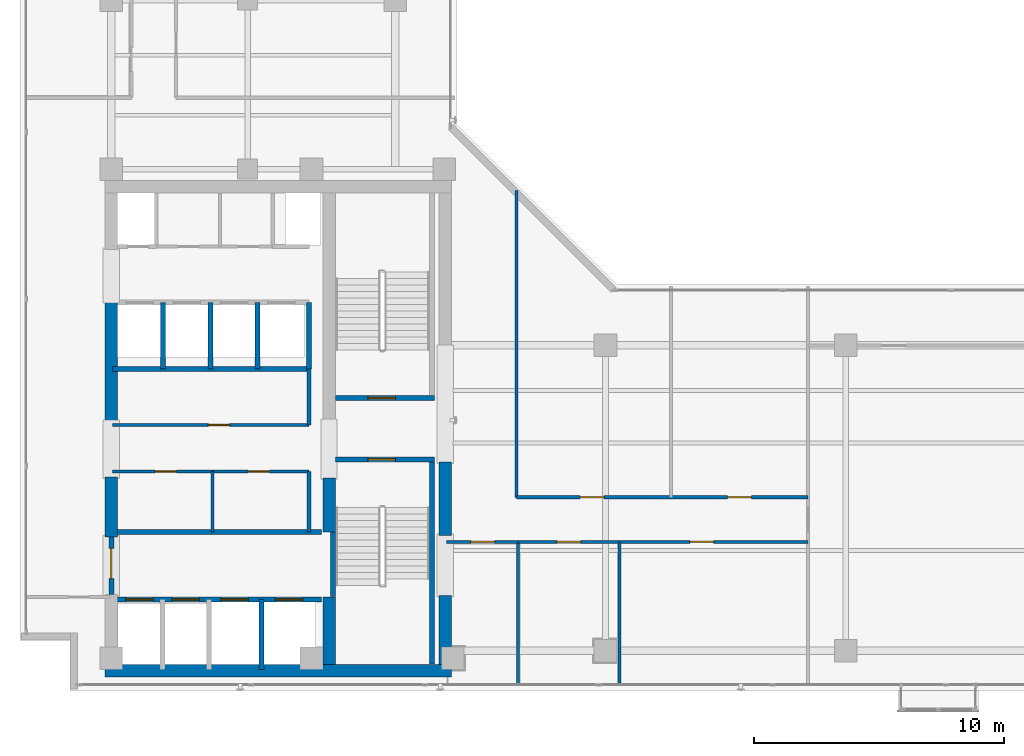
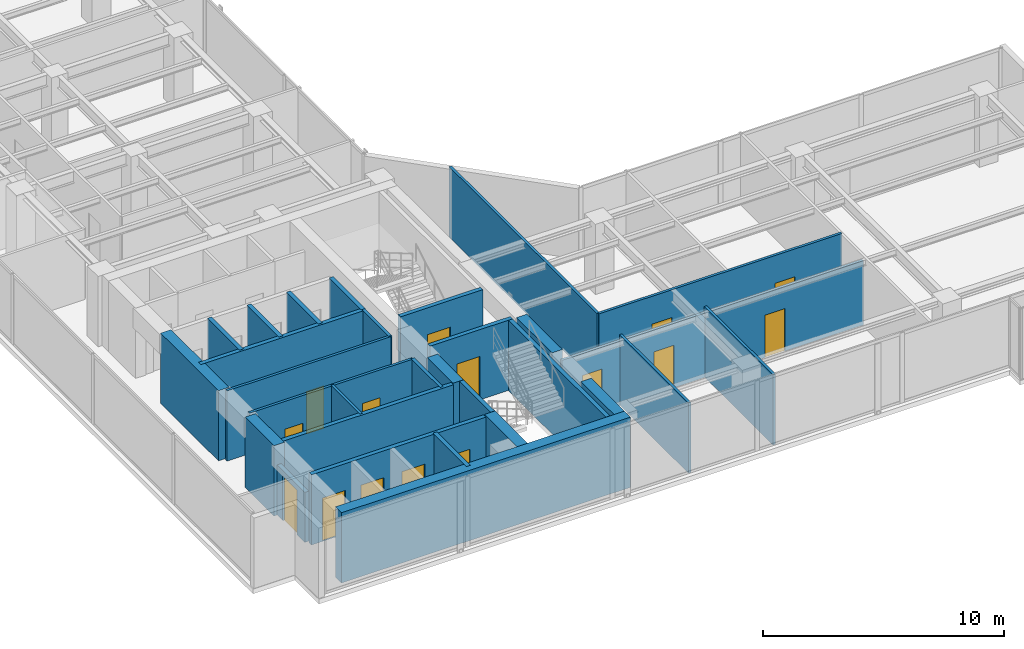
# One storey, part 16 of 23: 31 walls, 15 doors, 15 openings.
"""IFC4 building model written with IfcOpenShell, lengths in metres."""

from ifc_helpers import new_model, si_unit, direction, frame, frame_2d, origin, place, context, subcontext, project, spatial, rectangle, extrude, material, layer, layer_set, type_object, element, fill, save


model = new_model("IFC4")

# Units and contexts
model_context = context("Model", 3, precision=1e-05, world=origin(), true_north=direction((0.0, 1.0)))
body_context = subcontext(model_context, "Body", "Model", "MODEL_VIEW")
ifc_project = project(units=[si_unit("LENGTHUNIT", "METRE"), si_unit("AREAUNIT", "SQUARE_METRE"), si_unit("VOLUMEUNIT", "CUBIC_METRE"), si_unit("PLANEANGLEUNIT", "RADIAN"), si_unit("MASSUNIT", "GRAM", prefix="KILO")], contexts=[model_context])

# Site, building, storey
site_placement = place(None, origin())
site = spatial("IfcSite", under=ifc_project, at=site_placement, CompositionType="ELEMENT")
building_placement = place(site_placement, origin())
building = spatial("IfcBuilding", under=site, at=building_placement, Name="Kolvaren Waterfront Exchange", CompositionType="ELEMENT")
storey_placement = place(building_placement, frame((0.0, 0.0, 319.800048828125)))
storey = spatial("IfcBuildingStorey", under=building, at=storey_placement, Name="L82", CompositionType="ELEMENT", Elevation=319.800048828125)

# Wall, opening, door
ifc_material_1 = material(Name="Precast concrete C40/50", Category="concrete")
ifc_layer_1 = layer(ifc_material_1, 0.199951171875, Name="Precast concrete C40/50")
ifc_layer_set_1 = layer_set([ifc_layer_1], Name="Precast concrete C40/50")
wall_type_1 = type_object("IfcWallType", Name="ARC-FIRE-200", PredefinedType="PARTITIONING", material=ifc_layer_set_1)
wall_1_placement = place(storey_placement, frame((16.39990234375, 12.85009765625, 0.0), z_axis=(0.0, 0.0, 1.0), x_axis=(1.0, 0.0, 0.0)))
wall_1 = element("IfcWall", 1, at=wall_1_placement, inside=storey, type_object=wall_type_1, Name="L82 interior wall PW-L82-ST1-THROAT-S", PredefinedType="PARTITIONING", context=body_context, shape_type="SweptSolid", body=[
    extrude(rectangle(XDim=3.960205078125, YDim=0.199951171875, at=frame_2d((1.97998046875, 0.0))), origin(), (0.0, 0.0, 1.0), 3.56005859375),
])
opening_1_placement = place(wall_1_placement, frame((1.3037109375, 0.0, 0.0)))
opening_1 = element("IfcOpeningElement", 2, at=opening_1_placement, cuts=wall_1, Name="Opening FD2", PredefinedType="OPENING", context=body_context, shape_type="SweptSolid", body=[
    extrude(rectangle(XDim=1.10009765625, YDim=2.199951171875, at=frame_2d((0.550048828125, 1.10009765625))), frame((0.0, 0.10986328125, 0.0), z_axis=(0.0, -1.0, 0.0), x_axis=(1.0, 0.0, 0.0)), (0.0, 0.0, 1.0), 0.219970703125),
])
ifc_material_2 = material(Name="Pressed steel smoke-seal fire door", Category="steel")
door_type_1 = type_object("IfcDoorType", Name="ARC-FD-1100", OperationType="NOTDEFINED", PredefinedType="DOOR", material=ifc_material_2)
door_1_placement = place(opening_1_placement, frame((1.10009765625, 0.0, 0.0), z_axis=(0.0, 0.0, 1.0), x_axis=(-1.0, 0.0, 0.0)))
door_1 = element("IfcDoor", 3, at=door_1_placement, inside=storey, type_object=door_type_1, Name="L82 door DR-L82-ST1-IN (FD2)", OperationType="SINGLE_SWING_LEFT", OverallHeight=2.199951171875, OverallWidth=1.10009765625, PredefinedType="DOOR", context=body_context, shape_type="SweptSolid", body=[
    extrude(rectangle(XDim=1.10009765625, YDim=2.199951171875, at=frame_2d((0.550048828125, 1.10009765625))), frame((0.0, 0.02490234375, 0.0), z_axis=(0.0, -1.0, 0.0), x_axis=(1.0, 0.0, 0.0)), (0.0, 0.0, 1.0), 0.050048828125),
])
fill(opening_1, door_1)

wall_2_placement = place(storey_placement, frame((16.409912109375, 15.300048828125, 0.0), z_axis=(0.0, 0.0, 1.0), x_axis=(1.0, 0.0, 0.0)))
wall_2 = element("IfcWall", 4, at=wall_2_placement, inside=storey, type_object=wall_type_1, Name="L82 interior wall PW-L82-ST2-THROAT-N", PredefinedType="PARTITIONING", context=body_context, shape_type="SweptSolid", body=[
    extrude(rectangle(XDim=3.9501953125, YDim=0.199951171875, at=frame_2d((1.97509765625, 0.0))), origin(), (0.0, 0.0, 1.0), 3.56005859375),
])
opening_2_placement = place(wall_2_placement, frame((1.293701171875, 0.0, 0.0)))
opening_2 = element("IfcOpeningElement", 5, at=opening_2_placement, cuts=wall_2, Name="Opening FD2", PredefinedType="OPENING", context=body_context, shape_type="SweptSolid", body=[
    extrude(rectangle(XDim=1.10009765625, YDim=2.199951171875, at=frame_2d((0.550048828125, 1.10009765625))), frame((0.0, 0.10986328125, 0.0), z_axis=(0.0, -1.0, 0.0), x_axis=(1.0, 0.0, 0.0)), (0.0, 0.0, 1.0), 0.219970703125),
])
door_2_placement = place(opening_2_placement, origin())
door_2 = element("IfcDoor", 6, at=door_2_placement, inside=storey, type_object=door_type_1, Name="L82 door DR-L82-ST2-IN (FD2)", OperationType="SINGLE_SWING_RIGHT", OverallHeight=2.199951171875, OverallWidth=1.10009765625, PredefinedType="DOOR", context=body_context, shape_type="SweptSolid", body=[
    extrude(rectangle(XDim=1.10009765625, YDim=2.199951171875, at=frame_2d((0.550048828125, 1.10009765625))), frame((0.0, 0.02490234375, 0.0), z_axis=(0.0, -1.0, 0.0), x_axis=(1.0, 0.0, 0.0)), (0.0, 0.0, 1.0), 0.050048828125),
])
fill(opening_2, door_2)

# Wall
wall_3_placement = place(storey_placement, frame((7.5, 9.949951171875, 0.0), z_axis=(0.0, 0.0, 1.0), x_axis=(1.0, 0.0, 0.0)))
element("IfcWall", 7, at=wall_3_placement, inside=storey, type_object=wall_type_1, Name="L82 interior wall PW-L82-FF-N", PredefinedType="PARTITIONING", context=body_context, shape_type="SweptSolid", body=[
    extrude(rectangle(XDim=8.35009765625, YDim=0.199951171875, at=frame_2d((4.175048828125, 0.0))), origin(), (0.0, 0.0, 1.0), 3.56005859375),
])

# Wall, opening, door
wall_4_placement = place(storey_placement, frame((7.449951171875, 7.449951171875, 0.0), z_axis=(0.0, 0.0, 1.0), x_axis=(0.0, 1.0, 0.0)))
wall_4 = element("IfcWall", 8, at=wall_4_placement, inside=storey, type_object=wall_type_1, Name="L82 interior wall PW-L82-FF-W-DOOR", PredefinedType="PARTITIONING", context=body_context, shape_type="SweptSolid", body=[
    extrude(rectangle(XDim=2.300048828125, YDim=0.199951171875, at=frame_2d((1.14990234375, 0.0))), origin(), (0.0, 0.0, 1.0), 2.5400390625),
])
opening_3_placement = place(wall_4_placement, frame((0.63330078125, 0.0, 0.0)))
opening_3 = element("IfcOpeningElement", 9, at=opening_3_placement, cuts=wall_4, Name="Opening FD3", PredefinedType="OPENING", context=body_context, shape_type="SweptSolid", body=[
    extrude(rectangle(XDim=1.199951171875, YDim=2.25, at=frame_2d((0.60009765625, 1.125))), frame((0.0, 0.10986328125, 0.0), z_axis=(0.0, -1.0, 0.0), x_axis=(1.0, 0.0, 0.0)), (0.0, 0.0, 1.0), 0.219970703125),
])
ifc_material_3 = material(Name="Pressed steel fire door", Category="steel")
door_type_2 = type_object("IfcDoorType", Name="ARC-FD-1200", OperationType="NOTDEFINED", PredefinedType="DOOR", material=ifc_material_3)
door_3_placement = place(opening_3_placement, frame((1.199951171875, 0.0, 0.0), z_axis=(0.0, 0.0, 1.0), x_axis=(-1.0, 0.0, 0.0)))
door_3 = element("IfcDoor", 10, at=door_3_placement, inside=storey, type_object=door_type_2, Name="L82 door DR-L82-FF-OUT (FD3)", OperationType="SINGLE_SWING_LEFT", OverallHeight=2.25, OverallWidth=1.199951171875, PredefinedType="DOOR", context=body_context, shape_type="SweptSolid", body=[
    extrude(rectangle(XDim=1.199951171875, YDim=2.25, at=frame_2d((0.60009765625, 1.125))), frame((0.0, 0.02490234375, 0.0), z_axis=(0.0, -1.0, 0.0), x_axis=(1.0, 0.0, 0.0)), (0.0, 0.0, 1.0), 0.050048828125),
])
fill(opening_3, door_3)

# Wall, openings, doors
ifc_material_4 = material(Name="Acoustic gypsum steel stud", Category="steel")
ifc_layer_2 = layer(ifc_material_4, 0.125, Name="Acoustic gypsum steel stud")
ifc_layer_set_2 = layer_set([ifc_layer_2], Name="Acoustic gypsum steel stud")
wall_type_2 = type_object("IfcWallType", Name="ARC-PART-125", PredefinedType="PARTITIONING", material=ifc_layer_set_2)
wall_5_placement = place(storey_placement, frame((7.5, 12.360107421875, 0.0), z_axis=(0.0, 0.0, 1.0), x_axis=(1.0, 0.0, 0.0)))
wall_5 = element("IfcWall", 11, at=wall_5_placement, inside=storey, type_object=wall_type_2, Name="L82 interior wall PW-L82-REC-HI-S", PredefinedType="PARTITIONING", context=body_context, shape_type="SweptSolid", body=[
    extrude(rectangle(XDim=7.85009765625, YDim=0.125, at=frame_2d((3.925048828125, 0.0))), origin(), (0.0, 0.0, 1.0), 3.56005859375),
])
opening_4_placement = place(wall_5_placement, frame((1.699951171875, 0.0, 0.0)))
opening_4 = element("IfcOpeningElement", 12, at=opening_4_placement, cuts=wall_5, Name="Opening D01", PredefinedType="OPENING", context=body_context, shape_type="SweptSolid", body=[
    extrude(rectangle(XDim=0.85009765625, YDim=2.14990234375, at=frame_2d((0.425048828125, 1.074951171875))), frame((0.0, 0.072509765625, 0.0), z_axis=(0.0, -1.0, 0.0), x_axis=(1.0, 0.0, 0.0)), (0.0, 0.0, 1.0), 0.14501953125),
])
opening_5_placement = place(wall_5_placement, frame((5.41259765625, 0.0, 0.0)))
opening_5 = element("IfcOpeningElement", 13, at=opening_5_placement, cuts=wall_5, Name="Opening D01", PredefinedType="OPENING", context=body_context, shape_type="SweptSolid", body=[
    extrude(rectangle(XDim=0.85009765625, YDim=2.14990234375, at=frame_2d((0.425048828125, 1.074951171875))), frame((0.0, 0.072509765625, 0.0), z_axis=(0.0, -1.0, 0.0), x_axis=(1.0, 0.0, 0.0)), (0.0, 0.0, 1.0), 0.14501953125),
])
ifc_material_5 = material(Name="Oak veneer timber leaf", Category="wood")
door_type_3 = type_object("IfcDoorType", Name="ARC-DR-900", OperationType="NOTDEFINED", PredefinedType="DOOR", material=ifc_material_5)
door_4_placement = place(opening_4_placement, origin())
door_4 = element("IfcDoor", 14, at=door_4_placement, inside=storey, type_object=door_type_3, Name="L82 door DR-L82-REC-HI-D1 (D01)", OperationType="SINGLE_SWING_RIGHT", OverallHeight=2.14990234375, OverallWidth=0.85009765625, PredefinedType="DOOR", context=body_context, shape_type="SweptSolid", body=[
    extrude(rectangle(XDim=0.85009765625, YDim=2.14990234375, at=frame_2d((0.425048828125, 1.074951171875))), frame((0.0, 0.02490234375, 0.0), z_axis=(0.0, -1.0, 0.0), x_axis=(1.0, 0.0, 0.0)), (0.0, 0.0, 1.0), 0.050048828125),
])
fill(opening_4, door_4)
door_5_placement = place(opening_5_placement, origin())
door_5 = element("IfcDoor", 15, at=door_5_placement, inside=storey, type_object=door_type_3, Name="L82 door DR-L82-REC-HI-D2 (D01)", OperationType="SINGLE_SWING_LEFT", OverallHeight=2.14990234375, OverallWidth=0.85009765625, PredefinedType="DOOR", context=body_context, shape_type="SweptSolid", body=[
    extrude(rectangle(XDim=0.85009765625, YDim=2.14990234375, at=frame_2d((0.425048828125, 1.074951171875))), frame((0.0, 0.02490234375, 0.0), z_axis=(0.0, -1.0, 0.0), x_axis=(1.0, 0.0, 0.0)), (0.0, 0.0, 1.0), 0.050048828125),
])
fill(opening_5, door_5)

# Wall, opening, door
wall_6_placement = place(storey_placement, frame((7.5, 14.219970703125, 0.0), z_axis=(0.0, 0.0, 1.0), x_axis=(1.0, 0.0, 0.0)))
wall_6 = element("IfcWall", 16, at=wall_6_placement, inside=storey, type_object=wall_type_2, Name="L82 interior wall PW-L82-REC-HI-N", PredefinedType="PARTITIONING", context=body_context, shape_type="SweptSolid", body=[
    extrude(rectangle(XDim=7.85009765625, YDim=0.125, at=frame_2d((3.925048828125, 0.0))), origin(), (0.0, 0.0, 1.0), 3.56005859375),
])
opening_6_placement = place(wall_6_placement, frame((3.824951171875, 0.0, 0.0)))
opening_6 = element("IfcOpeningElement", 17, at=opening_6_placement, cuts=wall_6, Name="Opening D01", PredefinedType="OPENING", context=body_context, shape_type="SweptSolid", body=[
    extrude(rectangle(XDim=0.85009765625, YDim=2.14990234375, at=frame_2d((0.425048828125, 1.074951171875))), frame((0.0, 0.072509765625, 0.0), z_axis=(0.0, -1.0, 0.0), x_axis=(1.0, 0.0, 0.0)), (0.0, 0.0, 1.0), 0.14501953125),
])
door_6_placement = place(opening_6_placement, origin())
door_6 = element("IfcDoor", 18, at=door_6_placement, inside=storey, type_object=door_type_3, Name="L82 door DR-L82-REC-HI-D3 (D01)", OperationType="SINGLE_SWING_RIGHT", OverallHeight=2.14990234375, OverallWidth=0.85009765625, PredefinedType="DOOR", context=body_context, shape_type="SweptSolid", body=[
    extrude(rectangle(XDim=0.85009765625, YDim=2.14990234375, at=frame_2d((0.425048828125, 1.074951171875))), frame((0.0, 0.02490234375, 0.0), z_axis=(0.0, -1.0, 0.0), x_axis=(1.0, 0.0, 0.0)), (0.0, 0.0, 1.0), 0.050048828125),
])
fill(opening_6, door_6)

# Wall
wall_7_placement = place(storey_placement, frame((11.5, 9.949951171875, 0.0), z_axis=(0.0, 0.0, 1.0), x_axis=(0.0, 1.0, 0.0)))
element("IfcWall", 19, at=wall_7_placement, inside=storey, type_object=wall_type_2, Name="L82 interior wall PW-L82-REC-HI-MS1", PredefinedType="PARTITIONING", context=body_context, shape_type="SweptSolid", body=[
    extrude(rectangle(XDim=2.41015625, YDim=0.125, at=frame_2d((1.205078125, 0.0))), origin(), (0.0, 0.0, 1.0), 3.56005859375),
])

# Wall, opening, door
wall_8_placement = place(storey_placement, frame((20.85009765625, 9.550048828125, 0.0), z_axis=(0.0, 0.0, 1.0), x_axis=(1.0, 0.0, 0.0)))
wall_8 = element("IfcWall", 20, at=wall_8_placement, inside=storey, type_object=wall_type_2, Name="L82 interior wall PW-L82-SWST3-N", PredefinedType="PARTITIONING", context=body_context, shape_type="SweptSolid", body=[
    extrude(rectangle(XDim=2.849853515625, YDim=0.125, at=frame_2d((1.4248046875, 0.0))), origin(), (0.0, 0.0, 1.0), 3.260009765625),
])
opening_7_placement = place(wall_8_placement, frame((0.971435546875, 0.0, 0.0)))
opening_7 = element("IfcOpeningElement", 21, at=opening_7_placement, cuts=wall_8, Name="Opening D02", PredefinedType="OPENING", context=body_context, shape_type="SweptSolid", body=[
    extrude(rectangle(XDim=0.949951171875, YDim=2.14990234375, at=frame_2d((0.47509765625, 1.074951171875))), frame((0.0, 0.072509765625, 0.0), z_axis=(0.0, -1.0, 0.0), x_axis=(1.0, 0.0, 0.0)), (0.0, 0.0, 1.0), 0.14501953125),
])
ifc_material_6 = material(Name="Oak veneer acoustic timber", Category="wood")
door_type_4 = type_object("IfcDoorType", Name="ARC-DR-950", OperationType="NOTDEFINED", PredefinedType="DOOR", material=ifc_material_6)
door_7_placement = place(opening_7_placement, origin())
door_7 = element("IfcDoor", 22, at=door_7_placement, inside=storey, type_object=door_type_4, Name="L82 door DR-L82-SWST3-D (D02)", OperationType="SINGLE_SWING_LEFT", OverallHeight=2.14990234375, OverallWidth=0.949951171875, PredefinedType="DOOR", context=body_context, shape_type="SweptSolid", body=[
    extrude(rectangle(XDim=0.949951171875, YDim=2.14990234375, at=frame_2d((0.47509765625, 1.074951171875))), frame((0.0, 0.02490234375, 0.0), z_axis=(0.0, -1.0, 0.0), x_axis=(1.0, 0.0, 0.0)), (0.0, 0.0, 1.0), 0.050048828125),
])
fill(opening_7, door_7)

# Wall
wall_9_placement = place(storey_placement, frame((23.699951171875, 3.840087890625, 0.0), z_axis=(0.0, 0.0, 1.0), x_axis=(0.0, 1.0, 0.0)))
element("IfcWall", 23, at=wall_9_placement, inside=storey, type_object=wall_type_2, Name="L82 interior wall PW-L82-ES-W0", PredefinedType="PARTITIONING", context=body_context, shape_type="SweptSolid", body=[
    extrude(rectangle(XDim=5.7099609375, YDim=0.125, at=frame_2d((2.85498046875, 0.0))), origin(), (0.0, 0.0, 1.0), 3.56005859375),
])

# Wall, openings, doors
wall_10_placement = place(storey_placement, frame((23.699951171875, 9.550048828125, 0.0), z_axis=(0.0, 0.0, 1.0), x_axis=(1.0, 0.0, 0.0)))
wall_10 = element("IfcWall", 24, at=wall_10_placement, inside=storey, type_object=wall_type_2, Name="L82 interior wall PW-L82-ES-CORR", PredefinedType="PARTITIONING", context=body_context, shape_type="SweptSolid", body=[
    extrude(rectangle(XDim=11.590087890625, YDim=0.125, at=frame_2d((5.794921875, 0.0))), origin(), (0.0, 0.0, 1.0), 3.260009765625),
])
opening_8_placement = place(wall_10_placement, frame((1.554931640625, 0.0, 0.0)))
opening_8 = element("IfcOpeningElement", 25, at=opening_8_placement, cuts=wall_10, Name="Opening D02", PredefinedType="OPENING", context=body_context, shape_type="SweptSolid", body=[
    extrude(rectangle(XDim=0.949951171875, YDim=2.14990234375, at=frame_2d((0.47509765625, 1.074951171875))), frame((0.0, 0.072509765625, 0.0), z_axis=(0.0, -1.0, 0.0), x_axis=(1.0, 0.0, 0.0)), (0.0, 0.0, 1.0), 0.14501953125),
])
opening_9_placement = place(wall_10_placement, frame((6.875, 0.0, 0.0)))
opening_9 = element("IfcOpeningElement", 26, at=opening_9_placement, cuts=wall_10, Name="Opening D02", PredefinedType="OPENING", context=body_context, shape_type="SweptSolid", body=[
    extrude(rectangle(XDim=0.949951171875, YDim=2.14990234375, at=frame_2d((0.47509765625, 1.074951171875))), frame((0.0, 0.072509765625, 0.0), z_axis=(0.0, -1.0, 0.0), x_axis=(1.0, 0.0, 0.0)), (0.0, 0.0, 1.0), 0.14501953125),
])
door_8_placement = place(opening_8_placement, origin())
door_8 = element("IfcDoor", 27, at=door_8_placement, inside=storey, type_object=door_type_4, Name="L82 door DR-L82-ES-D-1 (D02)", OperationType="SINGLE_SWING_RIGHT", OverallHeight=2.14990234375, OverallWidth=0.949951171875, PredefinedType="DOOR", context=body_context, shape_type="SweptSolid", body=[
    extrude(rectangle(XDim=0.949951171875, YDim=2.14990234375, at=frame_2d((0.47509765625, 1.074951171875))), frame((0.0, 0.02490234375, 0.0), z_axis=(0.0, -1.0, 0.0), x_axis=(1.0, 0.0, 0.0)), (0.0, 0.0, 1.0), 0.050048828125),
])
fill(opening_8, door_8)
door_9_placement = place(opening_9_placement, origin())
door_9 = element("IfcDoor", 28, at=door_9_placement, inside=storey, type_object=door_type_4, Name="L82 door DR-L82-ES-D-2 (D02)", OperationType="SINGLE_SWING_LEFT", OverallHeight=2.14990234375, OverallWidth=0.949951171875, PredefinedType="DOOR", context=body_context, shape_type="SweptSolid", body=[
    extrude(rectangle(XDim=0.949951171875, YDim=2.14990234375, at=frame_2d((0.47509765625, 1.074951171875))), frame((0.0, 0.02490234375, 0.0), z_axis=(0.0, -1.0, 0.0), x_axis=(1.0, 0.0, 0.0)), (0.0, 0.0, 1.0), 0.050048828125),
])
fill(opening_9, door_9)

# Walls
wall_11_placement = place(storey_placement, frame((27.760009765625, 3.840087890625, 0.0), z_axis=(0.0, 0.0, 1.0), x_axis=(0.0, 1.0, 0.0)))
element("IfcWall", 29, at=wall_11_placement, inside=storey, type_object=wall_type_2, Name="L82 interior wall PW-L82-ES-DIV-1", PredefinedType="PARTITIONING", context=body_context, shape_type="SweptSolid", body=[
    extrude(rectangle(XDim=5.7099609375, YDim=0.125, at=frame_2d((2.85498046875, 0.0))), origin(), (0.0, 0.0, 1.0), 3.56005859375),
])
wall_12_placement = place(storey_placement, frame((23.64990234375, 11.330078125, 0.0), z_axis=(0.0, 0.0, 1.0), x_axis=(0.0, 1.0, 0.0)))
element("IfcWall", 30, at=wall_12_placement, inside=storey, type_object=wall_type_2, Name="L82 interior wall PW-L82-EN-W0", PredefinedType="PARTITIONING", context=body_context, shape_type="SweptSolid", body=[
    extrude(rectangle(XDim=12.26416015625, YDim=0.125, at=frame_2d((6.132080078125, 0.0))), origin(), (0.0, 0.0, 1.0), 3.56005859375),
])

# Wall, openings, doors
wall_13_placement = place(storey_placement, frame((23.64990234375, 11.330078125, 0.0), z_axis=(0.0, 0.0, 1.0), x_axis=(1.0, 0.0, 0.0)))
wall_13 = element("IfcWall", 31, at=wall_13_placement, inside=storey, type_object=wall_type_2, Name="L82 interior wall PW-L82-EN-CORR", PredefinedType="PARTITIONING", context=body_context, shape_type="SweptSolid", body=[
    extrude(rectangle(XDim=11.64013671875, YDim=0.125, at=frame_2d((5.820068359375, 0.0))), origin(), (0.0, 0.0, 1.0), 3.56005859375),
])
opening_10_placement = place(wall_13_placement, frame((2.538818359375, 0.0, 0.0)))
opening_10 = element("IfcOpeningElement", 32, at=opening_10_placement, cuts=wall_13, Name="Opening D02", PredefinedType="OPENING", context=body_context, shape_type="SweptSolid", body=[
    extrude(rectangle(XDim=0.949951171875, YDim=2.14990234375, at=frame_2d((0.47509765625, 1.074951171875))), frame((0.0, 0.072509765625, 0.0), z_axis=(0.0, -1.0, 0.0), x_axis=(1.0, 0.0, 0.0)), (0.0, 0.0, 1.0), 0.14501953125),
])
opening_11_placement = place(wall_13_placement, frame((8.429931640625, 0.0, 0.0)))
opening_11 = element("IfcOpeningElement", 33, at=opening_11_placement, cuts=wall_13, Name="Opening D02", PredefinedType="OPENING", context=body_context, shape_type="SweptSolid", body=[
    extrude(rectangle(XDim=0.949951171875, YDim=2.14990234375, at=frame_2d((0.47509765625, 1.074951171875))), frame((0.0, 0.072509765625, 0.0), z_axis=(0.0, -1.0, 0.0), x_axis=(1.0, 0.0, 0.0)), (0.0, 0.0, 1.0), 0.14501953125),
])
door_10_placement = place(opening_10_placement, origin())
door_10 = element("IfcDoor", 34, at=door_10_placement, inside=storey, type_object=door_type_4, Name="L82 door DR-L82-EN-D-1 (D02)", OperationType="SINGLE_SWING_RIGHT", OverallHeight=2.14990234375, OverallWidth=0.949951171875, PredefinedType="DOOR", context=body_context, shape_type="SweptSolid", body=[
    extrude(rectangle(XDim=0.949951171875, YDim=2.14990234375, at=frame_2d((0.47509765625, 1.074951171875))), frame((0.0, 0.02490234375, 0.0), z_axis=(0.0, -1.0, 0.0), x_axis=(1.0, 0.0, 0.0)), (0.0, 0.0, 1.0), 0.050048828125),
])
fill(opening_10, door_10)
door_11_placement = place(opening_11_placement, origin())
door_11 = element("IfcDoor", 35, at=door_11_placement, inside=storey, type_object=door_type_4, Name="L82 door DR-L82-EN-D-2 (D02)", OperationType="SINGLE_SWING_LEFT", OverallHeight=2.14990234375, OverallWidth=0.949951171875, PredefinedType="DOOR", context=body_context, shape_type="SweptSolid", body=[
    extrude(rectangle(XDim=0.949951171875, YDim=2.14990234375, at=frame_2d((0.47509765625, 1.074951171875))), frame((0.0, 0.02490234375, 0.0), z_axis=(0.0, -1.0, 0.0), x_axis=(1.0, 0.0, 0.0)), (0.0, 0.0, 1.0), 0.050048828125),
])
fill(opening_11, door_11)

# Walls
ifc_material_7 = material(Name="Gypsum fireboard steel stud", Category="steel")
ifc_layer_3 = layer(ifc_material_7, 0.14990234375, Name="Gypsum fireboard steel stud")
ifc_layer_set_3 = layer_set([ifc_layer_3], Name="Gypsum fireboard steel stud")
wall_type_3 = type_object("IfcWallType", Name="ARC-PART-150", PredefinedType="PARTITIONING", material=ifc_layer_set_3)
wall_14_placement = place(storey_placement, frame((15.35009765625, 9.949951171875, 0.0), z_axis=(0.0, 0.0, 1.0), x_axis=(0.0, 1.0, 0.0)))
element("IfcWall", 36, at=wall_14_placement, inside=storey, type_object=wall_type_3, Name="L82 interior wall PW-L82-REC-HI-E1", PredefinedType="PARTITIONING", context=body_context, shape_type="SweptSolid", body=[
    extrude(rectangle(XDim=2.41015625, YDim=0.14990234375, at=frame_2d((1.205078125, 0.0))), origin(), (0.0, 0.0, 1.0), 3.56005859375),
])
wall_15_placement = place(storey_placement, frame((15.35009765625, 14.219970703125, 0.0), z_axis=(0.0, 0.0, 1.0), x_axis=(0.0, 1.0, 0.0)))
element("IfcWall", 37, at=wall_15_placement, inside=storey, type_object=wall_type_3, Name="L82 interior wall PW-L82-REC-HI-E2", PredefinedType="PARTITIONING", context=body_context, shape_type="SweptSolid", body=[
    extrude(rectangle(XDim=2.22998046875, YDim=0.14990234375, at=frame_2d((1.114990234375, 0.0))), origin(), (0.0, 0.0, 1.0), 3.56005859375),
])
ifc_material_8 = material(Name="Concrete C40/50", Category="concrete")
ifc_layer_4 = layer(ifc_material_8, 0.199951171875, Name="Concrete C40/50")
ifc_layer_set_4 = layer_set([ifc_layer_4], Name="Concrete C40/50")
wall_type_4 = type_object("IfcWallType", Name="ARC-SHAFT-200", PredefinedType="PARTITIONING", material=ifc_layer_set_4)
wall_16_placement = place(storey_placement, frame((16.300048828125, 7.360107421875, 0.0), z_axis=(0.0, 0.0, 1.0), x_axis=(0.0, 1.0, 0.0)))
element("IfcWall", 38, at=wall_16_placement, inside=storey, type_object=wall_type_4, Name="L82 structural stairwell wall PW-L82-ST1-W", PredefinedType="SHEAR", context=body_context, shape_type="SweptSolid", body=[
    extrude(rectangle(XDim=2.579833984375, YDim=0.199951171875, at=frame_2d((1.2900390625, 0.0))), origin(), (0.0, 0.0, 1.0), 3.56005859375),
])
wall_17_placement = place(storey_placement, frame((20.260009765625, 4.659912109375, 0.0), z_axis=(0.0, 0.0, 1.0), x_axis=(0.0, 1.0, 0.0)))
element("IfcWall", 39, at=wall_17_placement, inside=storey, type_object=wall_type_4, Name="L82 structural stairwell wall PW-L82-ST1-E", PredefinedType="SHEAR", context=body_context, shape_type="SweptSolid", body=[
    extrude(rectangle(XDim=8.090087890625, YDim=0.199951171875, at=frame_2d((4.044921875, 0.0))), origin(), (0.0, 0.0, 1.0), 3.56005859375),
])

# Wall, openings, doors
wall_18_placement = place(storey_placement, frame((7.5, 7.25, 0.0), z_axis=(0.0, 0.0, 1.0), x_axis=(1.0, 0.0, 0.0)))
wall_18 = element("IfcWall", 40, at=wall_18_placement, inside=storey, type_object=wall_type_4, Name="L82 interior wall PW-L82-FF-S", PredefinedType="PARTITIONING", context=body_context, shape_type="SweptSolid", body=[
    extrude(rectangle(XDim=8.35009765625, YDim=0.199951171875, at=frame_2d((4.175048828125, 0.0))), origin(), (0.0, 0.0, 1.0), 3.56005859375),
])
opening_12_placement = place(wall_18_placement, frame((0.530029296875, 0.0, 0.0)))
opening_12 = element("IfcOpeningElement", 41, at=opening_12_placement, cuts=wall_18, Name="Opening LD1", PredefinedType="OPENING", context=body_context, shape_type="SweptSolid", body=[
    extrude(rectangle(XDim=1.10009765625, YDim=2.199951171875, at=frame_2d((0.550048828125, 1.10009765625))), frame((0.0, 0.10986328125, 0.0), z_axis=(0.0, -1.0, 0.0), x_axis=(1.0, 0.0, 0.0)), (0.0, 0.0, 1.0), 0.219970703125),
])
opening_13_placement = place(wall_18_placement, frame((2.3701171875, 0.0, 0.0)))
opening_13 = element("IfcOpeningElement", 42, at=opening_13_placement, cuts=wall_18, Name="Opening LD1", PredefinedType="OPENING", context=body_context, shape_type="SweptSolid", body=[
    extrude(rectangle(XDim=1.10009765625, YDim=2.199951171875, at=frame_2d((0.550048828125, 1.10009765625))), frame((0.0, 0.10986328125, 0.0), z_axis=(0.0, -1.0, 0.0), x_axis=(1.0, 0.0, 0.0)), (0.0, 0.0, 1.0), 0.219970703125),
])
opening_14_placement = place(wall_18_placement, frame((4.330078125, 0.0, 0.0)))
opening_14 = element("IfcOpeningElement", 43, at=opening_14_placement, cuts=wall_18, Name="Opening LD1", PredefinedType="OPENING", context=body_context, shape_type="SweptSolid", body=[
    extrude(rectangle(XDim=1.10009765625, YDim=2.199951171875, at=frame_2d((0.550048828125, 1.10009765625))), frame((0.0, 0.10986328125, 0.0), z_axis=(0.0, -1.0, 0.0), x_axis=(1.0, 0.0, 0.0)), (0.0, 0.0, 1.0), 0.219970703125),
])
opening_15_placement = place(wall_18_placement, frame((6.5, 0.0, 0.0)))
opening_15 = element("IfcOpeningElement", 44, at=opening_15_placement, cuts=wall_18, Name="Opening LD1", PredefinedType="OPENING", context=body_context, shape_type="SweptSolid", body=[
    extrude(rectangle(XDim=1.10009765625, YDim=2.199951171875, at=frame_2d((0.550048828125, 1.10009765625))), frame((0.0, 0.10986328125, 0.0), z_axis=(0.0, -1.0, 0.0), x_axis=(1.0, 0.0, 0.0)), (0.0, 0.0, 1.0), 0.219970703125),
])
ifc_material_9 = material(Name="Stainless steel sliding landing door", Category="steel")
door_type_5 = type_object("IfcDoorType", Name="ARC-LD-FF", OperationType="SLIDING_TO_LEFT", PredefinedType="DOOR", material=ifc_material_9)
door_12_placement = place(opening_12_placement, origin())
door_12 = element("IfcDoor", 45, at=door_12_placement, inside=storey, type_object=door_type_5, Name="L82 door LD-L82-FFL1 (LD1)", OperationType="SLIDING_TO_LEFT", OverallHeight=2.199951171875, OverallWidth=1.10009765625, PredefinedType="DOOR", context=body_context, shape_type="SweptSolid", body=[
    extrude(rectangle(XDim=1.10009765625, YDim=2.199951171875, at=frame_2d((0.550048828125, 1.10009765625))), frame((0.0, 0.02490234375, 0.0), z_axis=(0.0, -1.0, 0.0), x_axis=(1.0, 0.0, 0.0)), (0.0, 0.0, 1.0), 0.050048828125),
])
fill(opening_12, door_12)
door_13_placement = place(opening_13_placement, origin())
door_13 = element("IfcDoor", 46, at=door_13_placement, inside=storey, type_object=door_type_5, Name="L82 door LD-L82-FFL2 (LD1)", OperationType="SLIDING_TO_LEFT", OverallHeight=2.199951171875, OverallWidth=1.10009765625, PredefinedType="DOOR", context=body_context, shape_type="SweptSolid", body=[
    extrude(rectangle(XDim=1.10009765625, YDim=2.199951171875, at=frame_2d((0.550048828125, 1.10009765625))), frame((0.0, 0.02490234375, 0.0), z_axis=(0.0, -1.0, 0.0), x_axis=(1.0, 0.0, 0.0)), (0.0, 0.0, 1.0), 0.050048828125),
])
fill(opening_13, door_13)
door_14_placement = place(opening_14_placement, origin())
door_14 = element("IfcDoor", 47, at=door_14_placement, inside=storey, type_object=door_type_5, Name="L82 door LD-L82-GL1 (LD1)", OperationType="SLIDING_TO_LEFT", OverallHeight=2.199951171875, OverallWidth=1.10009765625, PredefinedType="DOOR", context=body_context, shape_type="SweptSolid", body=[
    extrude(rectangle(XDim=1.10009765625, YDim=2.199951171875, at=frame_2d((0.550048828125, 1.10009765625))), frame((0.0, 0.02490234375, 0.0), z_axis=(0.0, -1.0, 0.0), x_axis=(1.0, 0.0, 0.0)), (0.0, 0.0, 1.0), 0.050048828125),
])
fill(opening_14, door_14)
door_15_placement = place(opening_15_placement, origin())
door_15 = element("IfcDoor", 48, at=door_15_placement, inside=storey, type_object=door_type_5, Name="L82 door LD-L82-GL2 (LD1)", OperationType="SLIDING_TO_LEFT", OverallHeight=2.199951171875, OverallWidth=1.10009765625, PredefinedType="DOOR", context=body_context, shape_type="SweptSolid", body=[
    extrude(rectangle(XDim=1.10009765625, YDim=2.199951171875, at=frame_2d((0.550048828125, 1.10009765625))), frame((0.0, 0.02490234375, 0.0), z_axis=(0.0, -1.0, 0.0), x_axis=(1.0, 0.0, 0.0)), (0.0, 0.0, 1.0), 0.050048828125),
])
fill(opening_15, door_15)

# Walls
wall_19_placement = place(storey_placement, frame((13.4599609375, 4.449951171875, 0.0), z_axis=(0.0, 0.0, 1.0), x_axis=(0.0, 1.0, 0.0)))
element("IfcWall", 49, at=wall_19_placement, inside=storey, type_object=wall_type_4, Name="L82 interior wall PW-L82-SH1-DIV-134", PredefinedType="PARTITIONING", context=body_context, shape_type="SweptSolid", body=[
    extrude(rectangle(XDim=2.800048828125, YDim=0.199951171875, at=frame_2d((1.39990234375, 0.0))), origin(), (0.0, 0.0, 1.0), 3.56005859375),
])
wall_20_placement = place(storey_placement, frame((7.5, 16.449951171875, 0.0), z_axis=(0.0, 0.0, 1.0), x_axis=(1.0, 0.0, 0.0)))
element("IfcWall", 50, at=wall_20_placement, inside=storey, type_object=wall_type_4, Name="L82 interior wall PW-L82-REC-PM-N", PredefinedType="PARTITIONING", context=body_context, shape_type="SweptSolid", body=[
    extrude(rectangle(XDim=7.85009765625, YDim=0.199951171875, at=frame_2d((3.925048828125, 0.0))), origin(), (0.0, 0.0, 1.0), 3.56005859375),
])
for number, where, z_axis, x_axis, name in (
    (51, (15.35009765625, 16.449951171875, 0.0), (0.0, 0.0, 1.0), (0.0, 1.0, 0.0), "L82 interior wall PW-L82-PH-E"),
    (52, (9.52001953125, 16.449951171875, 0.0), (0.0, 0.0, 1.0), (0.0, 1.0, 0.0), "L82 interior wall PW-L82-SH4-DIV-95"),
    (53, (11.409912109375, 16.449951171875, 0.0), (0.0, 0.0, 1.0), (0.0, 1.0, 0.0), "L82 interior wall PW-L82-SH4-DIV-114"),
    (54, (13.300048828125, 16.449951171875, 0.0), (0.0, 0.0, 1.0), (0.0, 1.0, 0.0), "L82 interior wall PW-L82-SH4-DIV-133"),
):
    element("IfcWall", number, at=place(storey_placement, frame(where, z_axis=z_axis, x_axis=x_axis)), inside=storey, type_object=wall_type_4, Name=name, PredefinedType="PARTITIONING", context=body_context, shape_type="SweptSolid", body=[
        extrude(rectangle(XDim=2.670166015625, YDim=0.199951171875, at=frame_2d((1.3349609375, 0.0))), origin(), (0.0, 0.0, 1.0), 3.56005859375),
    ])
ifc_material_10 = material(Name="Concrete C50/60", Category="concrete")
ifc_layer_5 = layer(ifc_material_10, 0.5, Name="Concrete C50/60")
ifc_layer_set_5 = layer_set([ifc_layer_5], Name="Concrete C50/60")
wall_type_5 = type_object("IfcWallType", Name="STR-CWALL-500", PredefinedType="SHEAR", material=ifc_layer_set_5)
wall_21_placement = place(storey_placement, frame((7.199951171875, 4.39990234375, 0.0), z_axis=(0.0, 0.0, 1.0), x_axis=(1.0, 0.0, 0.0)))
element("IfcWall", 55, at=wall_21_placement, inside=storey, type_object=wall_type_5, Name="L82 rear-core shear wall S", PredefinedType="SHEAR", context=body_context, shape_type="SweptSolid", body=[
    extrude(rectangle(XDim=13.85009765625, YDim=0.5, at=frame_2d((6.925048828125, 0.0))), origin(), (0.0, 0.0, 1.0), 3.56005859375),
])
wall_22_placement = place(storey_placement, frame((7.449951171875, 9.75, 0.0), z_axis=(0.0, 0.0, 1.0), x_axis=(0.0, 1.0, 0.0)))
element("IfcWall", 56, at=wall_22_placement, inside=storey, type_object=wall_type_5, Name="L82 rear-core shear wall W2A", PredefinedType="SHEAR", context=body_context, shape_type="SweptSolid", body=[
    extrude(rectangle(XDim=2.39990234375, YDim=0.5, at=frame_2d((1.199951171875, 0.0))), origin(), (0.0, 0.0, 1.0), 3.56005859375),
])
wall_23_placement = place(storey_placement, frame((7.449951171875, 14.35009765625, 0.0), z_axis=(0.0, 0.0, 1.0), x_axis=(0.0, 1.0, 0.0)))
element("IfcWall", 57, at=wall_23_placement, inside=storey, type_object=wall_type_5, Name="L82 rear-core shear wall W2B", PredefinedType="SHEAR", context=body_context, shape_type="SweptSolid", body=[
    extrude(rectangle(XDim=4.809814453125, YDim=0.5, at=frame_2d((2.40478515625, 0.0))), origin(), (0.0, 0.0, 1.0), 3.56005859375),
])
wall_24_placement = place(storey_placement, frame((20.800048828125, 4.64990234375, 0.0), z_axis=(0.0, 0.0, 1.0), x_axis=(0.0, 1.0, 0.0)))
element("IfcWall", 58, at=wall_24_placement, inside=storey, type_object=wall_type_5, Name="L82 rear-core shear wall E1", PredefinedType="SHEAR", context=body_context, shape_type="SweptSolid", body=[
    extrude(rectangle(XDim=2.75, YDim=0.5, at=frame_2d((1.375, 0.0))), origin(), (0.0, 0.0, 1.0), 3.56005859375),
])
wall_25_placement = place(storey_placement, frame((20.800048828125, 9.800048828125, 0.0), z_axis=(0.0, 0.0, 1.0), x_axis=(0.0, 1.0, 0.0)))
element("IfcWall", 59, at=wall_25_placement, inside=storey, type_object=wall_type_5, Name="L82 rear-core shear wall E2", PredefinedType="SHEAR", context=body_context, shape_type="SweptSolid", body=[
    extrude(rectangle(XDim=2.949951171875, YDim=0.5, at=frame_2d((1.47509765625, 0.0))), origin(), (0.0, 0.0, 1.0), 3.56005859375),
])
wall_26_placement = place(storey_placement, frame((16.14990234375, 4.64990234375, 0.0), z_axis=(0.0, 0.0, 1.0), x_axis=(0.0, 1.0, 0.0)))
element("IfcWall", 60, at=wall_26_placement, inside=storey, type_object=wall_type_5, Name="L82 rear-core shear wall M1", PredefinedType="SHEAR", context=body_context, shape_type="SweptSolid", body=[
    extrude(rectangle(XDim=2.7001953125, YDim=0.5, at=frame_2d((1.35009765625, 0.0))), origin(), (0.0, 0.0, 1.0), 3.56005859375),
])
wall_27_placement = place(storey_placement, frame((16.14990234375, 9.949951171875, 0.0), z_axis=(0.0, 0.0, 1.0), x_axis=(0.0, 1.0, 0.0)))
element("IfcWall", 61, at=wall_27_placement, inside=storey, type_object=wall_type_5, Name="L82 rear-core shear wall M2", PredefinedType="SHEAR", context=body_context, shape_type="SweptSolid", body=[
    extrude(rectangle(XDim=2.150146484375, YDim=0.5, at=frame_2d((1.0751953125, 0.0))), origin(), (0.0, 0.0, 1.0), 3.56005859375),
])

save(model, "model.ifc")
